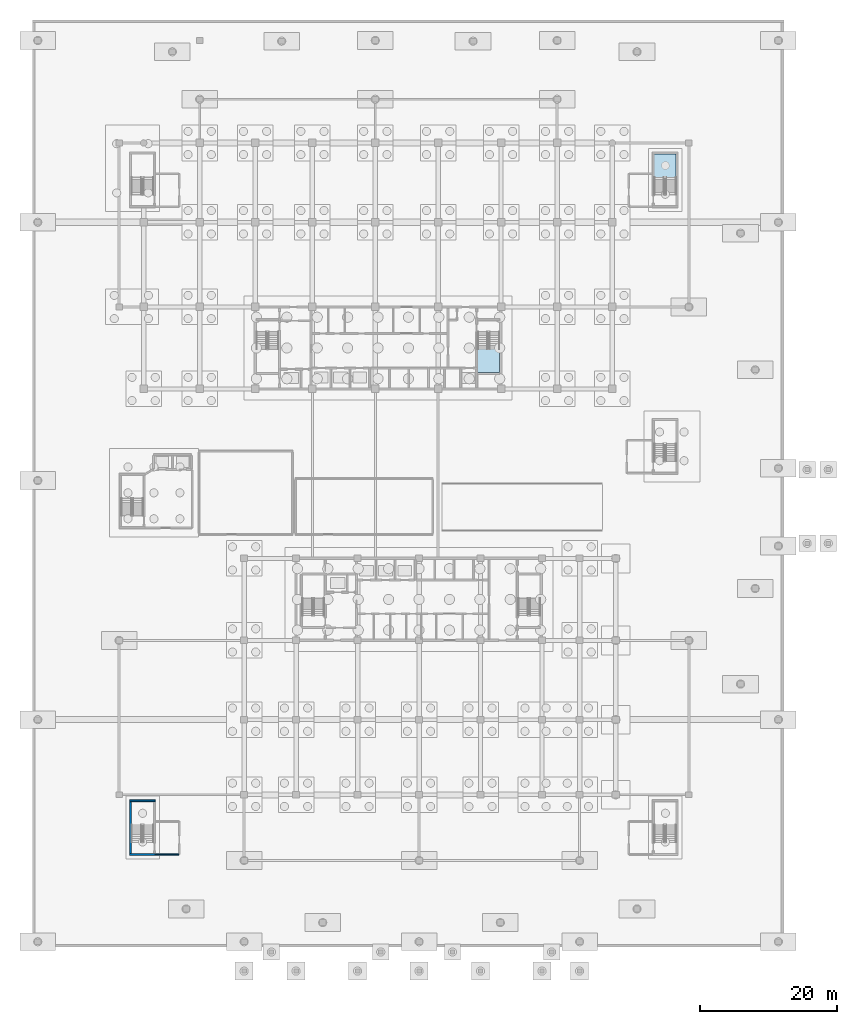
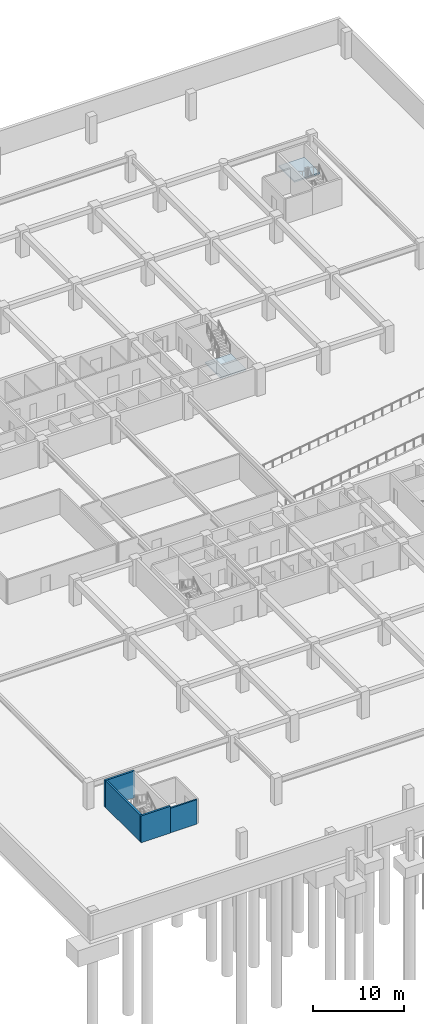
# One storey, part 7 of 26: 4 walls, 2 slabs, 2 elements without a shape of their own.
"""IFC4 building model written with IfcOpenShell, lengths in metres."""

from ifc_helpers import new_model, si_unit, direction, frame, frame_2d, origin, place, context, subcontext, project, spatial, polyline, rectangle, outline, extrude, material, layer, layer_set, type_object, element, aggregate, save


model = new_model("IFC4")

# Units and contexts
model_context = context("Model", 3, precision=1e-05, world=origin(), true_north=direction((0.0, 1.0)))
body_context = subcontext(model_context, "Body", "Model", "MODEL_VIEW")
ifc_project = project(units=[si_unit("LENGTHUNIT", "METRE"), si_unit("AREAUNIT", "SQUARE_METRE"), si_unit("VOLUMEUNIT", "CUBIC_METRE"), si_unit("PLANEANGLEUNIT", "RADIAN"), si_unit("MASSUNIT", "GRAM", prefix="KILO")], contexts=[model_context])

# Site, building, storey
site_placement = place(None, origin())
site = spatial("IfcSite", under=ifc_project, at=site_placement, CompositionType="ELEMENT")
building_placement = place(site_placement, origin())
building = spatial("IfcBuilding", under=site, at=building_placement, Name="Korimba Cascade Residences", CompositionType="ELEMENT")
storey_placement = place(building_placement, frame((0.0, 0.0, -10.800048828125)))
storey = spatial("IfcBuildingStorey", under=building, at=storey_placement, Name="B03", CompositionType="ELEMENT", Elevation=-10.800048828125)

# Stair, slab
ifc_material_1 = material(Name="Concrete C50/60", Category="concrete")
stair_type_1 = type_object("IfcStairType", Name="STR-W2-20R-1800", PredefinedType="HALF_TURN_STAIR", material=ifc_material_1)
stair_1_placement = place(storey_placement, origin())
stair_1 = element("IfcStair", 1, at=stair_1_placement, inside=storey, type_object=stair_type_1, Name="B03 Tower 1 East Fire Stair ST-W2", PredefinedType="HALF_TURN_STAIR")
ifc_layer_1 = layer(ifc_material_1, 0.199951171875)
ifc_layer_set_1 = layer_set([ifc_layer_1], Name="Concrete C50/60")
slab_type = type_object("IfcSlabType", Name="SLB-LND-220", PredefinedType="LANDING", material=ifc_layer_set_1)
slab_1_placement = place(storey_placement, frame((0.0, 0.0, 1.60009765625)))
slab_1 = element("IfcSlab", 2, at=slab_1_placement, type_object=slab_type, Name="ST-W2 landing 1", PredefinedType="LANDING", context=body_context, shape_type="SweptSolid", body=[
    extrude(outline(polyline([(108.659912109375, 61.030029296875), (108.659912109375, 57.60009765625), (111.89990234375, 57.60009765625), (111.89990234375, 61.030029296875), (108.659912109375, 61.030029296875)])), origin(), (0.0, 0.0, 1.0), 0.199951171875),
])
aggregate(stair_1, [slab_1])

stair_type_2 = type_object("IfcStairType", Name="STR-P4-20R-1800", PredefinedType="HALF_TURN_STAIR", material=ifc_material_1)
stair_2_placement = place(storey_placement, origin())
stair_2 = element("IfcStair", 3, at=stair_2_placement, inside=storey, type_object=stair_type_2, Name="B03 Podium North-East Corner Fire Stair ST-P4", PredefinedType="HALF_TURN_STAIR")
slab_2_placement = place(storey_placement, frame((0.0, 0.0, 1.60009765625)))
slab_2 = element("IfcSlab", 4, at=slab_2_placement, type_object=slab_type, Name="ST-P4 landing 1", PredefinedType="LANDING", context=body_context, shape_type="SweptSolid", body=[
    extrude(outline(polyline([(137.739990234375, 86.169921875), (137.739990234375, 89.60009765625), (134.5, 89.60009765625), (134.5, 86.169921875), (137.739990234375, 86.169921875)])), origin(), (0.0, 0.0, 1.0), 0.199951171875),
])
aggregate(stair_2, [slab_2])

# Walls
ifc_material_2 = material(Name="Concrete C40/50", Category="concrete")
ifc_layer_2 = layer(ifc_material_2, 0.199951171875)
ifc_layer_set_2 = layer_set([ifc_layer_2], Name="Concrete C40/50")
wall_type_1 = type_object("IfcWallType", Name="WAL-PART-200", PredefinedType="PARTITIONING", material=ifc_layer_set_2)
wall_1_placement = place(storey_placement, frame((61.5, -12.925048828125, 0.0), z_axis=(0.0, 0.0, 1.0), x_axis=(1.0, 0.0, 0.0)))
element("IfcWall", 5, at=wall_1_placement, inside=storey, type_object=wall_type_1, Name="B03 Partition Wall CW-B03-PL3S", PredefinedType="PARTITIONING", context=body_context, shape_type="SweptSolid", body=[
    extrude(rectangle(XDim=3.39990234375, YDim=0.199951171875, at=frame_2d((1.699951171875, 0.0))), origin(), (0.0, 0.0, 1.0), 3.300048828125),
])
ifc_layer_3 = layer(ifc_material_1, 0.25)
ifc_layer_set_3 = layer_set([ifc_layer_3], Name="Concrete C50/60")
wall_type_2 = type_object("IfcWallType", Name="WAL-SHAFT-250", PredefinedType="SHEAR", material=ifc_layer_set_3)
wall_2_placement = place(storey_placement, frame((57.875, -12.800048828125, 0.0), z_axis=(0.0, 0.0, 1.0), x_axis=(0.0, 1.0, 0.0)))
element("IfcWall", 6, at=wall_2_placement, inside=storey, type_object=wall_type_2, Name="B03 Core Shear Wall CW-B03-STP3W", PredefinedType="SHEAR", context=body_context, shape_type="SweptSolid", body=[
    extrude(rectangle(XDim=7.60009765625, YDim=0.25, at=frame_2d((3.800048828125, 0.0))), origin(), (0.0, 0.0, 1.0), 3.60009765625),
])
for number, where, z_axis, x_axis, name in (
    (7, (57.75, -12.925048828125, 0.0), (0.0, 0.0, 1.0), (1.0, 0.0, 0.0), "B03 Core Shear Wall CW-B03-STP3S"),
    (8, (57.75, -5.074951171875, 0.0), (0.0, 0.0, 1.0), (1.0, 0.0, 0.0), "B03 Core Shear Wall CW-B03-STP3N"),
):
    element("IfcWall", number, at=place(storey_placement, frame(where, z_axis=z_axis, x_axis=x_axis)), inside=storey, type_object=wall_type_2, Name=name, PredefinedType="SHEAR", context=body_context, shape_type="SweptSolid", body=[
        extrude(rectangle(XDim=3.739990234375, YDim=0.25, at=frame_2d((1.8701171875, 0.0))), origin(), (0.0, 0.0, 1.0), 3.60009765625),
    ])

save(model, "model.ifc")
